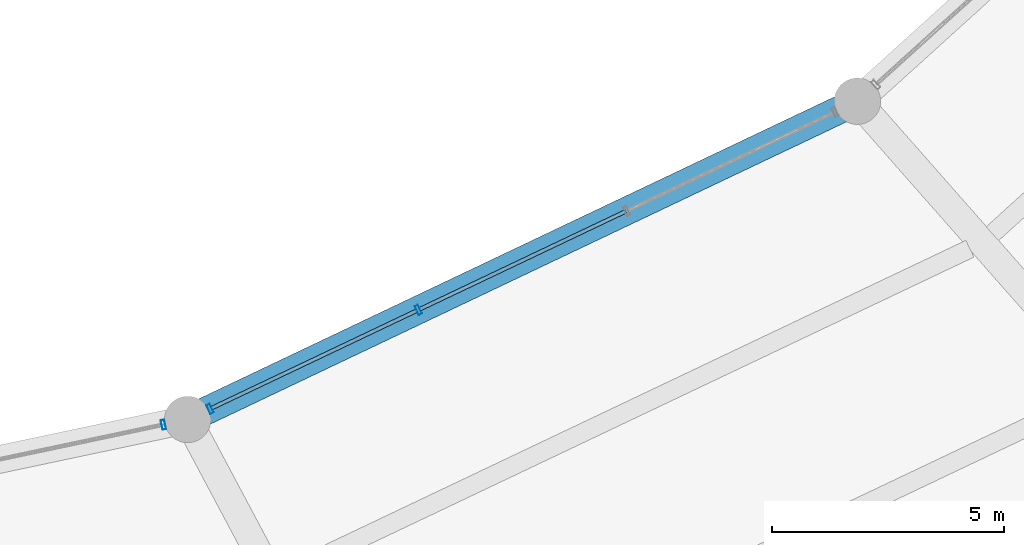
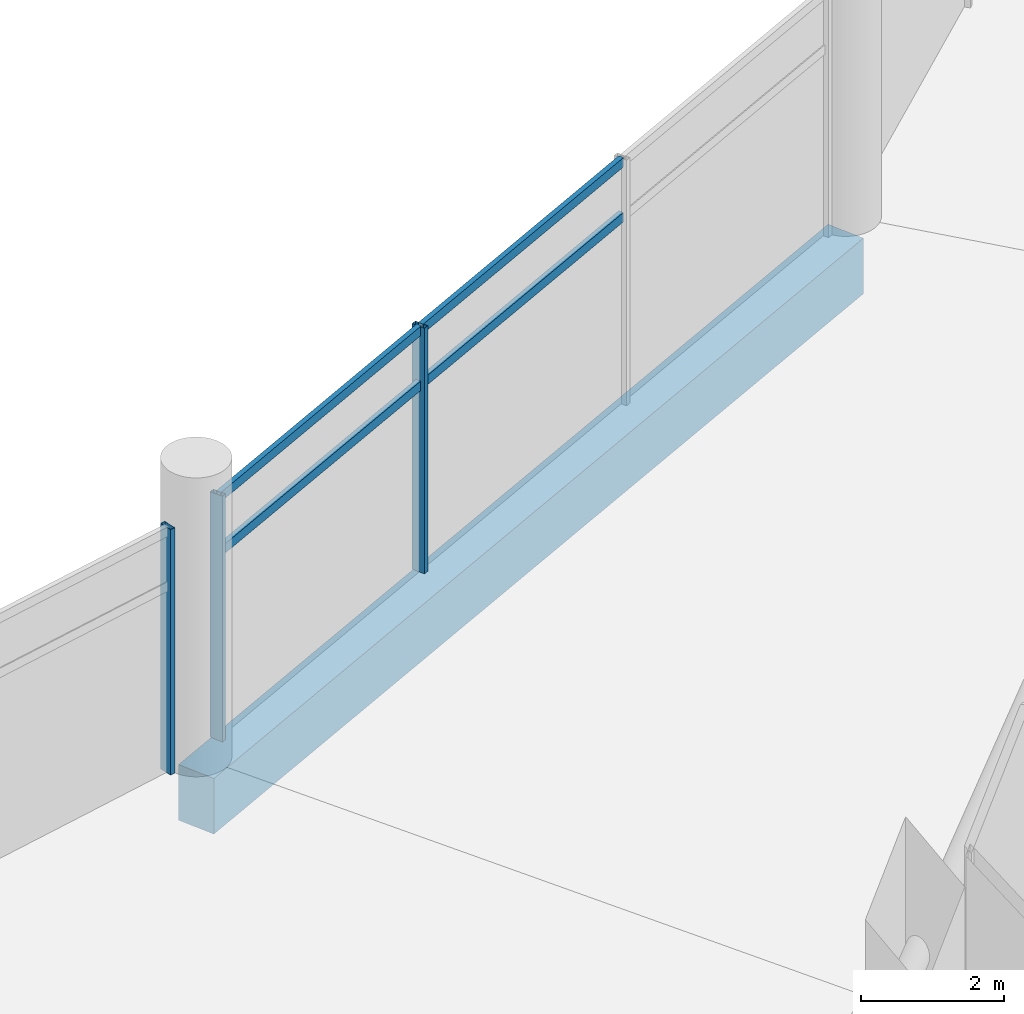
# One storey, part 64 of 184: 7 members, 1 beam, 2 elements without a shape of their own.
"""IFC4 building model written with IfcOpenShell, lengths in metres."""

from ifc_helpers import new_model, si_unit, direction, frame, origin, origin_2d, place, context, subcontext, project, spatial, rectangle, hollow_rectangle, extrude, material, layer, layer_set, material_profile, profile_set, type_object, element, aggregate, save


model = new_model("IFC4")

# Units and contexts
model_context = context("Model", 3, precision=1e-05, world=origin(), true_north=direction((0.0, 1.0)))
body_context = subcontext(model_context, "Body", "Model", "MODEL_VIEW")
ifc_project = project(units=[si_unit("LENGTHUNIT", "METRE"), si_unit("AREAUNIT", "SQUARE_METRE"), si_unit("VOLUMEUNIT", "CUBIC_METRE"), si_unit("PLANEANGLEUNIT", "RADIAN"), si_unit("MASSUNIT", "GRAM", prefix="KILO")], contexts=[model_context])

# Site, building, storey
site_placement = place(None, origin())
site = spatial("IfcSite", under=ifc_project, at=site_placement, CompositionType="ELEMENT")
building_placement = place(site_placement, origin())
building = spatial("IfcBuilding", under=site, at=building_placement, Name="Kazemori Nagisa Stadium", CompositionType="ELEMENT")
storey_placement = place(building_placement, frame((0.0, 0.0, 10.5400390625)))
storey = spatial("IfcBuildingStorey", under=building, at=storey_placement, Name="L02", CompositionType="ELEMENT", Elevation=10.5400390625)

# Beam
ifc_material_1 = material(Name="Concrete C40/50 (Fc42)", Category="concrete")
ifc_material_profile_1 = material_profile(ifc_material_1, rectangle(XDim=0.60009765625, YDim=0.949951171875, at=origin_2d()), Name="RC-BM-600x950")
ifc_profile_set_1 = profile_set([ifc_material_profile_1], Name="Concrete C40/50 (Fc42)")
beam_type = type_object("IfcBeamType", Name="Beam_BG-RC600X950", PredefinedType="BEAM", material=ifc_profile_set_1)
beam_placement = place(storey_placement, frame((154.24755859375, 43.260986328125, -0.735107421875), z_axis=(0.903211989129, 0.429194714196, 0.0), x_axis=(-0.429194714196, 0.903211989129, 0.0)))
element("IfcBeam", 1, at=beam_placement, inside=storey, type_object=beam_type, Name="Ring girder BG-RC600X950 L02 R1-24", PredefinedType="BEAM", context=body_context, shape_type="SweptSolid", body=[
    extrude(rectangle(XDim=0.60009765625, YDim=0.949951171875, at=origin_2d()), origin(), (0.0, 0.0, 1.0), 15.997314453125),
])

# Curtain wall, member
ifc_material_2 = material(Name="Anodised aluminium 6063-T5", Category="aluminium")
ifc_layer = layer(ifc_material_2, 0.2099609375, Name="Anodised aluminium 6063-T5", Category="aluminium")
ifc_layer_set = layer_set([ifc_layer], Name="Anodised aluminium 6063-T5")
curtain_wall_type = type_object("IfcCurtainWallType", Name="CW_L02B_75", PredefinedType="USERDEFINED", material=ifc_layer_set)
curtain_wall_1_placement = place(storey_placement, origin())
curtain_wall_1 = element("IfcCurtainWall", 2, at=curtain_wall_1_placement, inside=storey, type_object=curtain_wall_type, Name="Unitised curtain wall CW-L02B-75 L02", ObjectType="UNITISED CURTAIN WALL", PredefinedType="USERDEFINED")
ifc_material_3 = material(Name="Aluminium 6063-T5 anodised", Category="aluminium")
ifc_material_profile_2 = material_profile(ifc_material_3, hollow_rectangle(XDim=0.080078125, YDim=0.2099609375, WallThickness=0.0048828125, at=origin_2d()), Name="ALU-MULL-80x210x5")
ifc_profile_set_2 = profile_set([ifc_material_profile_2], Name="Aluminium 6063-T5 anodised")
member_type_1 = type_object("IfcMemberType", Name="Mullion_M02", PredefinedType="MULLION", material=ifc_profile_set_2)
member_1_placement = place(storey_placement, frame((153.72412109375, 43.150390625, 0.0), z_axis=(0.0, 0.0, 1.0), x_axis=(0.978344955407, 0.206981033502, 0.0)))
member_1 = element("IfcMember", 3, at=member_1_placement, type_object=member_type_1, Name="Curtain wall mullion CW-L02B-75-M4", PredefinedType="MULLION", context=body_context, shape_type="SweptSolid", body=[
    extrude(hollow_rectangle(XDim=0.080078125, YDim=0.2099609375, WallThickness=0.0048828125, at=origin_2d()), origin(), (0.0, 0.0, 1.0), 4.18994140625),
])
aggregate(curtain_wall_1, [member_1])

# Curtain wall, members
curtain_wall_2_placement = place(storey_placement, origin())
curtain_wall_2 = element("IfcCurtainWall", 4, at=curtain_wall_2_placement, inside=storey, type_object=curtain_wall_type, Name="Unitised curtain wall CW-L02B-75 L02", ObjectType="UNITISED CURTAIN WALL", PredefinedType="USERDEFINED")
member_2_placement = place(storey_placement, frame((154.730712890625, 43.49072265625, 0.0), z_axis=(0.0, 0.0, 1.0), x_axis=(0.903215892654, 0.429186499388, 0.0)))
member_2 = element("IfcMember", 5, at=member_2_placement, type_object=member_type_1, Name="Curtain wall mullion CW-L02B-75-M1", PredefinedType="MULLION", context=body_context, shape_type="SweptSolid", body=[
    extrude(hollow_rectangle(XDim=0.080078125, YDim=0.2099609375, WallThickness=0.0048828125, at=origin_2d()), origin(), (0.0, 0.0, 1.0), 4.18994140625),
])
member_3_placement = place(storey_placement, frame((159.224853515625, 45.626220703125, 0.0), z_axis=(0.0, 0.0, 1.0), x_axis=(0.903215892654, 0.429186499388, 0.0)))
member_3 = element("IfcMember", 6, at=member_3_placement, type_object=member_type_1, Name="Curtain wall mullion CW-L02B-75-M2", PredefinedType="MULLION", context=body_context, shape_type="SweptSolid", body=[
    extrude(hollow_rectangle(XDim=0.080078125, YDim=0.2099609375, WallThickness=0.0048828125, at=origin_2d()), origin(), (0.0, 0.0, 1.0), 4.18994140625),
])
ifc_material_profile_3 = material_profile(ifc_material_3, hollow_rectangle(XDim=0.080078125, YDim=0.159912109375, WallThickness=0.00390625, at=origin_2d()), Name="ALU-TRAN-80x160x4")
ifc_profile_set_3 = profile_set([ifc_material_profile_3], Name="Aluminium 6063-T5 anodised")
member_type_2 = type_object("IfcMemberType", Name="Transom_T02", PredefinedType="USERDEFINED", material=ifc_profile_set_3)
member_4_placement = place(storey_placement, frame((154.748779296875, 43.499267578125, 3.184326171875), z_axis=(0.903210397994, 0.429198062618, 0.0), x_axis=(-0.429198062618, 0.903210397994, 0.0)))
member_4 = element("IfcMember", 7, at=member_4_placement, type_object=member_type_2, Name="Curtain wall transom CW-L02B-75-T1-mid", ObjectType="TRANSOM", PredefinedType="USERDEFINED", context=body_context, shape_type="SweptSolid", body=[
    extrude(hollow_rectangle(XDim=0.080078125, YDim=0.159912109375, WallThickness=0.00390625, at=origin_2d()), origin(), (0.0, 0.0, 1.0), 4.935791015625),
])
member_5_placement = place(storey_placement, frame((154.748779296875, 43.499267578125, 4.119873046875), z_axis=(0.903210397994, 0.429198062618, 0.0), x_axis=(-0.429198062618, 0.903210397994, 0.0)))
member_5 = element("IfcMember", 8, at=member_5_placement, type_object=member_type_2, Name="Curtain wall transom CW-L02B-75-T1-head", ObjectType="TRANSOM", PredefinedType="USERDEFINED", context=body_context, shape_type="SweptSolid", body=[
    extrude(hollow_rectangle(XDim=0.080078125, YDim=0.159912109375, WallThickness=0.00390625, at=origin_2d()), origin(), (0.0, 0.0, 1.0), 4.935791015625),
])
member_6_placement = place(storey_placement, frame((159.242919921875, 45.634765625, 3.184326171875), z_axis=(0.903210397994, 0.429198062618, 0.0), x_axis=(-0.429198062618, 0.903210397994, 0.0)))
member_6 = element("IfcMember", 9, at=member_6_placement, type_object=member_type_2, Name="Curtain wall transom CW-L02B-75-T2-mid", ObjectType="TRANSOM", PredefinedType="USERDEFINED", context=body_context, shape_type="SweptSolid", body=[
    extrude(hollow_rectangle(XDim=0.080078125, YDim=0.159912109375, WallThickness=0.00390625, at=origin_2d()), origin(), (0.0, 0.0, 1.0), 4.935791015625),
])
member_7_placement = place(storey_placement, frame((159.242919921875, 45.634765625, 4.119873046875), z_axis=(0.903210397994, 0.429198062618, 0.0), x_axis=(-0.429198062618, 0.903210397994, 0.0)))
member_7 = element("IfcMember", 10, at=member_7_placement, type_object=member_type_2, Name="Curtain wall transom CW-L02B-75-T2-head", ObjectType="TRANSOM", PredefinedType="USERDEFINED", context=body_context, shape_type="SweptSolid", body=[
    extrude(hollow_rectangle(XDim=0.080078125, YDim=0.159912109375, WallThickness=0.00390625, at=origin_2d()), origin(), (0.0, 0.0, 1.0), 4.935791015625),
])
aggregate(curtain_wall_2, [member_2, member_3, member_4, member_5, member_6, member_7])

save(model, "model.ifc")
